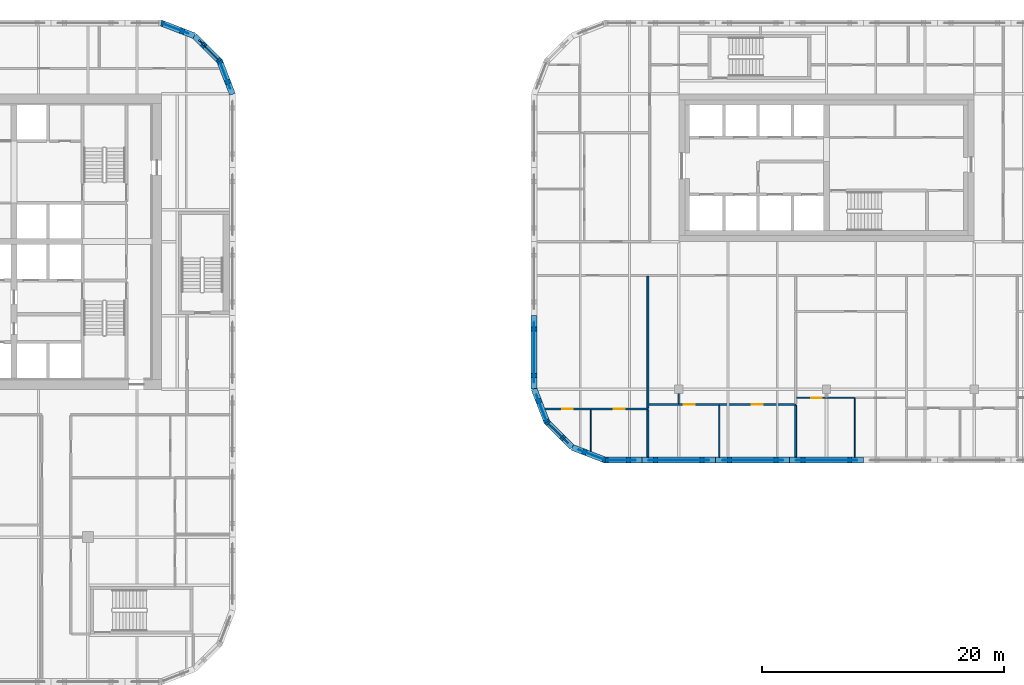
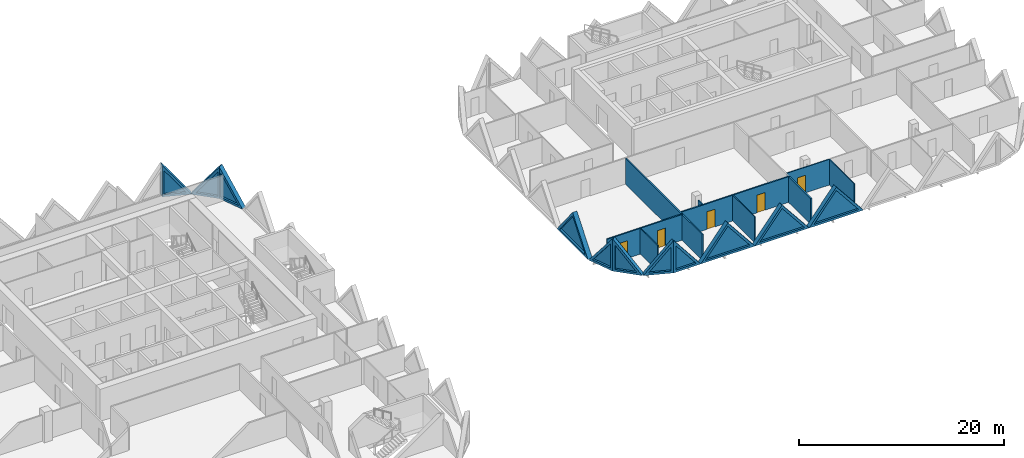
# One storey, part 11 of 19: 21 walls, 11 plates, 5 doors, 16 openings.
"""IFC4 building model written with IfcOpenShell, lengths in metres."""

from ifc_helpers import new_model, si_unit, direction, frame, frame_2d, origin, place, context, subcontext, project, spatial, polyline, rectangle, outline, extrude, faceted_brep, source, transform, mapped, material, layer, layer_set, type_object, element, fill, save


model = new_model("IFC4")

# Units and contexts
model_context = context("Model", 3, precision=1e-05, world=origin(), true_north=direction((0.0, 1.0)))
body_context = subcontext(model_context, "Body", "Model", "MODEL_VIEW")
ifc_project = project(units=[si_unit("LENGTHUNIT", "METRE"), si_unit("AREAUNIT", "SQUARE_METRE"), si_unit("VOLUMEUNIT", "CUBIC_METRE"), si_unit("PLANEANGLEUNIT", "RADIAN"), si_unit("MASSUNIT", "GRAM", prefix="KILO")], contexts=[model_context])

# Site, building, storey
site_placement = place(None, origin())
site = spatial("IfcSite", under=ifc_project, at=site_placement, CompositionType="ELEMENT")
building_placement = place(site_placement, origin())
building = spatial("IfcBuilding", under=site, at=building_placement, Name="Tessera Gate Towers", CompositionType="ELEMENT")
storey_placement = place(building_placement, frame((0.0, 0.0, 68.60009765625)))
storey = spatial("IfcBuildingStorey", under=building, at=storey_placement, Name="L16", CompositionType="ELEMENT", Elevation=68.60009765625)

# Walls
ifc_material_1 = material(Name="Gypsum board on steel studs", Category="steel")
ifc_layer_1 = layer(ifc_material_1, 0.10009765625)
ifc_layer_set_1 = layer_set([ifc_layer_1], Name="PARTITION 100")
wall_type_1 = type_object("IfcWallType", Name="PARTITION 100", PredefinedType="PARTITIONING", material=ifc_layer_set_1)
wall_1_placement = place(storey_placement, frame((100.944091796875, 18.800048828125, 0.0), z_axis=(0.0, 0.0, 1.0), x_axis=(0.0, 1.0, 0.0)))
element("IfcWall", 1, at=wall_1_placement, inside=storey, type_object=wall_type_1, Name="T2-L16-PW-002", PredefinedType="PARTITIONING", context=body_context, shape_type="SweptSolid", body=[
    extrude(rectangle(XDim=4.27392578125, YDim=0.10009765625, at=frame_2d((2.136962890625, 0.0))), origin(), (0.0, 0.0, 1.0), 3.06689453125),
])
wall_2_placement = place(storey_placement, frame((112.14501953125, 18.800048828125, 0.0), z_axis=(0.0, 0.0, 1.0), x_axis=(0.0, 1.0, 0.0)))
element("IfcWall", 2, at=wall_2_placement, inside=storey, type_object=wall_type_1, Name="T2-L16-PW-004", PredefinedType="PARTITIONING", context=body_context, shape_type="SweptSolid", body=[
    extrude(rectangle(XDim=4.89990234375, YDim=0.10009765625, at=frame_2d((2.449951171875, 0.0))), origin(), (0.0, 0.0, 1.0), 3.06689453125),
])
wall_3_placement = place(storey_placement, frame((90.320068359375, 19.291015625, 0.0), z_axis=(0.0, 0.0, 1.0), x_axis=(0.0, 1.0, 0.0)))
element("IfcWall", 3, at=wall_3_placement, inside=storey, type_object=wall_type_1, Name="T2-L16-PW-008", PredefinedType="PARTITIONING", context=body_context, shape_type="SweptSolid", body=[
    extrude(rectangle(XDim=3.407958984375, YDim=0.10009765625, at=frame_2d((1.7041015625, 0.0))), origin(), (0.0, 0.0, 1.0), 3.06689453125),
])

# Wall, opening, door
wall_4_placement = place(storey_placement, frame((112.09423828125, 23.699951171875, 0.0), z_axis=(0.0, 0.0, 1.0), x_axis=(-1.0, 0.0, 0.0)))
wall_4 = element("IfcWall", 4, at=wall_4_placement, inside=storey, type_object=wall_type_1, Name="T2-L16-PW-016", PredefinedType="PARTITIONING", context=body_context, shape_type="SweptSolid", body=[
    extrude(rectangle(XDim=4.768310546875, YDim=0.10009765625, at=frame_2d((2.38427734375, 0.0))), origin(), (0.0, 0.0, 1.0), 3.06689453125),
])
shared_shape_1 = source(origin(), body_context, "Body", "SweptSolid", [
    extrude(rectangle(XDim=0.89990234375, YDim=2.10009765625, at=frame_2d((0.449951171875, 1.050048828125))), frame((0.0, 0.06005859375, 0.0), z_axis=(0.0, -1.0, 0.0), x_axis=(1.0, 0.0, 0.0)), (0.0, 0.0, 1.0), 0.1201171875),
])
opening_1_placement = place(wall_4_placement, frame((2.668212890625, 0.0, 0.0)))
opening_1 = element("IfcOpeningElement", 5, at=opening_1_placement, cuts=wall_4, Name="Opening D190-B07-06", PredefinedType="OPENING", context=body_context, shape_type="MappedRepresentation", body=[
    mapped(shared_shape_1, transform((0.0, 0.0, 0.0), scale=1.0)),
])
ifc_material_2 = material(Name="Timber door leaf in steel frame", Category="steel")
door_type = type_object("IfcDoorType", Name="INTERNAL DOOR 900 NOT RATED", OperationType="NOTDEFINED", PredefinedType="DOOR", material=ifc_material_2)
shared_shape_2 = source(origin(), body_context, "Body", "SweptSolid", [
    extrude(rectangle(XDim=0.89990234375, YDim=2.10009765625, at=frame_2d((0.449951171875, 1.050048828125))), frame((0.0, 0.02490234375, 0.0), z_axis=(0.0, -1.0, 0.0), x_axis=(1.0, 0.0, 0.0)), (0.0, 0.0, 1.0), 0.050048828125),
])
door_1_placement = place(opening_1_placement, origin())
door_1 = element("IfcDoor", 6, at=door_1_placement, inside=storey, type_object=door_type, Name="T2-L16-PD-009", OperationType="SINGLE_SWING_LEFT", OverallHeight=2.10009765625, OverallWidth=0.89990234375, PredefinedType="DOOR", context=body_context, shape_type="MappedRepresentation", body=[
    mapped(shared_shape_2, transform((0.0, 0.0, 0.0), scale=1.0)),
])
fill(opening_1, door_1)

# Walls
wall_5_placement = place(storey_placement, frame((97.60009765625, 24.050048828125, 0.0), z_axis=(0.0, 0.0, 1.0), x_axis=(0.0, -1.0, 0.0)))
element("IfcWall", 7, at=wall_5_placement, inside=storey, type_object=wall_type_1, Name="T2-L16-PW-019", PredefinedType="PARTITIONING", context=body_context, shape_type="SweptSolid", body=[
    extrude(rectangle(XDim=0.824951171875, YDim=0.10009765625, at=frame_2d((0.41259765625, 0.0))), origin(), (0.0, 0.0, 1.0), 3.06689453125),
])
ifc_material_3 = material(Name="Gypsum board on steel studs, mineral wool", Category="steel")
ifc_layer_2 = layer(ifc_material_3, 0.14990234375)
ifc_layer_set_2 = layer_set([ifc_layer_2], Name="TENANCY WALL 150")
wall_type_2 = type_object("IfcWallType", Name="TENANCY WALL 150", PredefinedType="PARTITIONING", material=ifc_layer_set_2)
wall_6_placement = place(storey_placement, frame((95.050048828125, 18.800048828125, 0.0), z_axis=(0.0, 0.0, 1.0), x_axis=(0.0, 1.0, 0.0)))
element("IfcWall", 8, at=wall_6_placement, inside=storey, type_object=wall_type_2, Name="T2-L16-PW-001", PredefinedType="PARTITIONING", context=body_context, shape_type="SweptSolid", body=[
    extrude(rectangle(XDim=3.89892578125, YDim=0.14990234375, at=frame_2d((1.949462890625, 0.0))), origin(), (0.0, 0.0, 1.0), 3.06689453125),
])
wall_7_placement = place(storey_placement, frame((107.25, 18.800048828125, 0.0), z_axis=(0.0, 0.0, 1.0), x_axis=(0.0, 1.0, 0.0)))
element("IfcWall", 9, at=wall_7_placement, inside=storey, type_object=wall_type_2, Name="T2-L16-PW-003", PredefinedType="PARTITIONING", context=body_context, shape_type="SweptSolid", body=[
    extrude(rectangle(XDim=4.27392578125, YDim=0.14990234375, at=frame_2d((2.136962890625, 0.0))), origin(), (0.0, 0.0, 1.0), 3.06689453125),
])

# Wall, openings, doors
wall_8_placement = place(storey_placement, frame((95.050048828125, 22.77490234375, 0.0), z_axis=(0.0, 0.0, 1.0), x_axis=(-1.0, 0.0, 0.0)))
wall_8 = element("IfcWall", 10, at=wall_8_placement, inside=storey, type_object=wall_type_2, Name="T2-L16-PW-009", PredefinedType="PARTITIONING", context=body_context, shape_type="SweptSolid", body=[
    extrude(rectangle(XDim=8.4873046875, YDim=0.14990234375, at=frame_2d((4.24365234375, 0.0))), origin(), (0.0, 0.0, 1.0), 3.06689453125),
])
shared_shape_3 = source(origin(), body_context, "Body", "SweptSolid", [
    extrude(rectangle(XDim=0.89990234375, YDim=2.10009765625, at=frame_2d((0.449951171875, 1.050048828125))), frame((0.0, 0.0849609375, 0.0), z_axis=(0.0, -1.0, 0.0), x_axis=(1.0, 0.0, 0.0)), (0.0, 0.0, 1.0), 0.169921875),
])
opening_2_placement = place(wall_8_placement, frame((6.187255859375, 0.0, 0.0)))
opening_2 = element("IfcOpeningElement", 11, at=opening_2_placement, cuts=wall_8, Name="Opening D190-B07-01", PredefinedType="OPENING", context=body_context, shape_type="MappedRepresentation", body=[
    mapped(shared_shape_3, transform((0.0, 0.0, 0.0), scale=1.0)),
])
opening_3_placement = place(wall_8_placement, frame((1.9296875, 0.0, 0.0)))
opening_3 = element("IfcOpeningElement", 12, at=opening_3_placement, cuts=wall_8, Name="Opening D190-B07-04", PredefinedType="OPENING", context=body_context, shape_type="MappedRepresentation", body=[
    mapped(shared_shape_3, transform((0.0, 0.0, 0.0), scale=1.0)),
])
door_2_placement = place(opening_2_placement, origin())
door_2 = element("IfcDoor", 13, at=door_2_placement, inside=storey, type_object=door_type, Name="T2-L16-PD-001", OperationType="SINGLE_SWING_RIGHT", OverallHeight=2.10009765625, OverallWidth=0.89990234375, PredefinedType="DOOR", context=body_context, shape_type="MappedRepresentation", body=[
    mapped(shared_shape_2, transform((0.0, 0.0, 0.0), scale=1.0)),
])
fill(opening_2, door_2)
door_3_placement = place(opening_3_placement, origin())
door_3 = element("IfcDoor", 14, at=door_3_placement, inside=storey, type_object=door_type, Name="T2-L16-PD-007", OperationType="SINGLE_SWING_RIGHT", OverallHeight=2.10009765625, OverallWidth=0.89990234375, PredefinedType="DOOR", context=body_context, shape_type="MappedRepresentation", body=[
    mapped(shared_shape_2, transform((0.0, 0.0, 0.0), scale=1.0)),
])
fill(opening_3, door_3)

# Wall
wall_9_placement = place(storey_placement, frame((95.050048828125, 22.85107421875, 0.0), z_axis=(0.0, 0.0, 1.0), x_axis=(0.0, 1.0, 0.0)))
element("IfcWall", 15, at=wall_9_placement, inside=storey, type_object=wall_type_2, Name="T2-L16-PW-010", PredefinedType="PARTITIONING", context=body_context, shape_type="SweptSolid", body=[
    extrude(rectangle(XDim=10.873046875, YDim=0.14990234375, at=frame_2d((5.4365234375, 0.0))), origin(), (0.0, 0.0, 1.0), 3.06689453125),
])

# Wall, openings, doors
wall_10_placement = place(storey_placement, frame((107.25, 23.14990234375, 0.0), z_axis=(0.0, 0.0, 1.0), x_axis=(-1.0, 0.0, 0.0)))
wall_10 = element("IfcWall", 16, at=wall_10_placement, inside=storey, type_object=wall_type_2, Name="T2-L16-PW-014", PredefinedType="PARTITIONING", context=body_context, shape_type="SweptSolid", body=[
    extrude(rectangle(XDim=12.1240234375, YDim=0.14990234375, at=frame_2d((6.06201171875, 0.0))), origin(), (0.0, 0.0, 1.0), 3.06689453125),
])
opening_4_placement = place(wall_10_placement, frame((8.323974609375, 0.0, 0.0)))
opening_4 = element("IfcOpeningElement", 17, at=opening_4_placement, cuts=wall_10, Name="Opening D190-B07-07", PredefinedType="OPENING", context=body_context, shape_type="MappedRepresentation", body=[
    mapped(shared_shape_3, transform((0.0, 0.0, 0.0), scale=1.0)),
])
opening_5_placement = place(wall_10_placement, frame((2.706298828125, 0.0, 0.0)))
opening_5 = element("IfcOpeningElement", 18, at=opening_5_placement, cuts=wall_10, Name="Opening D190-B07-08", PredefinedType="OPENING", context=body_context, shape_type="MappedRepresentation", body=[
    mapped(shared_shape_3, transform((0.0, 0.0, 0.0), scale=1.0)),
])
door_4_placement = place(opening_4_placement, origin())
door_4 = element("IfcDoor", 19, at=door_4_placement, inside=storey, type_object=door_type, Name="T2-L16-PD-011", OperationType="SINGLE_SWING_RIGHT", OverallHeight=2.10009765625, OverallWidth=0.89990234375, PredefinedType="DOOR", context=body_context, shape_type="MappedRepresentation", body=[
    mapped(shared_shape_2, transform((0.0, 0.0, 0.0), scale=1.0)),
])
fill(opening_4, door_4)
door_5_placement = place(opening_5_placement, origin())
door_5 = element("IfcDoor", 20, at=door_5_placement, inside=storey, type_object=door_type, Name="T2-L16-PD-013", OperationType="SINGLE_SWING_RIGHT", OverallHeight=2.10009765625, OverallWidth=0.89990234375, PredefinedType="DOOR", context=body_context, shape_type="MappedRepresentation", body=[
    mapped(shared_shape_2, transform((0.0, 0.0, 0.0), scale=1.0)),
])
fill(opening_5, door_5)

# Wall, opening, plate
ifc_material_4 = material(Name="Precast concrete C60/75 white", Category="concrete")
ifc_layer_3 = layer(ifc_material_4, 0.5)
ifc_layer_set_3 = layer_set([ifc_layer_3], Name="TS3 corner tessera")
wall_type_3 = type_object("IfcWallType", Name="TS3 corner tessera", PredefinedType="SOLIDWALL", material=ifc_layer_set_3)
shared_shape_4 = source(origin(), body_context, "Body", "Brep", [
    faceted_brep([(3.050048828125, -0.25, 0.0), (0.046630859375, -0.25, 3.7998046875), (0.0, -0.25, 3.73974609375), (0.0, -0.25, 0.0), (0.09326171875, 0.25, 3.740966796875), (3.050048828125, 0.25, 0.0), (0.09326171875, 0.25, 0.0), (0.046630859375, 0.0, 3.7998046875)], [[[0, 1, 2, 3]], [[4, 5, 6]], [[5, 4, 7, 1, 0]], [[2, 1, 7]], [[6, 5, 0, 3]], [[6, 3, 2, 7, 4]]]),
])
wall_11_placement = place(storey_placement, frame((91.5, 18.550048828125, 0.0), z_axis=(0.0, 0.0, 1.0), x_axis=(1.0, 0.0, 0.0)))
wall_11 = element("IfcWall", 21, at=wall_11_placement, inside=storey, type_object=wall_type_3, Name="Precast corner tessera T2 TS3-0225", PredefinedType="SOLIDWALL", context=body_context, shape_type="MappedRepresentation", body=[
    mapped(shared_shape_4, transform((0.0, 0.0, 0.0), scale=1.0)),
])
shared_shape_5 = source(origin(), body_context, "Body", "SweptSolid", [
    extrude(outline(polyline([(2.533935546875, 0.25), (0.24658203125, 3.143798828125), (0.24658203125, 0.25), (2.533935546875, 0.25)])), frame((0.0, 0.260009765625, 0.0), z_axis=(0.0, -1.0, 0.0), x_axis=(1.0, 0.0, 0.0)), (0.0, 0.0, 1.0), 0.52001953125),
])
opening_6_placement = place(wall_11_placement, origin())
opening_6 = element("IfcOpeningElement", 22, at=opening_6_placement, cuts=wall_11, Name="Opening T2-PL1-0136", PredefinedType="OPENING", context=body_context, shape_type="MappedRepresentation", body=[
    mapped(shared_shape_5, transform((0.0, 0.0, 0.0), scale=1.0)),
])
ifc_material_5 = material(Name="Low-e laminated glass", Category="glass")
ifc_layer_4 = layer(ifc_material_5, 0.06005859375)
ifc_layer_set_4 = layer_set([ifc_layer_4], Name="PL1 triangular pane")
plate_type = type_object("IfcPlateType", Name="PL1 triangular pane", PredefinedType="SHEET", material=ifc_layer_set_4)
shared_shape_6 = source(origin(), body_context, "Body", "SweptSolid", [
    extrude(outline(polyline([(2.533935546875, 0.25), (0.24658203125, 3.143798828125), (0.24658203125, 0.25), (2.533935546875, 0.25)])), frame((0.0, 0.030029296875, 0.0), z_axis=(0.0, -1.0, 0.0), x_axis=(1.0, 0.0, 0.0)), (0.0, 0.0, 1.0), 0.06005859375),
])
plate_1_placement = place(opening_6_placement, origin())
plate_1 = element("IfcPlate", 23, at=plate_1_placement, inside=storey, type_object=plate_type, Name="Glass pane T2 PL1-0136", PredefinedType="SHEET", context=body_context, shape_type="MappedRepresentation", body=[
    mapped(shared_shape_6, transform((0.0, 0.0, 0.0), scale=1.0)),
])
fill(opening_6, plate_1)

shared_shape_7 = source(origin(), body_context, "Body", "Brep", [
    faceted_brep([(2.9970703125, -0.25, 3.74072265625), (2.950439453125, -0.25, 3.7998046875), (0.0, -0.25, 0.0), (2.9970703125, -0.25, 0.0), (0.052978515625, 0.25, 0.068115234375), (2.904052734375, 0.25, 3.739990234375), (2.904052734375, 0.25, 0.0), (0.052978515625, 0.25, 0.0), (2.950439453125, 0.00048828125, 3.7998046875), (0.0, 0.0, 0.0)], [[[0, 1, 2, 3]], [[4, 5, 6, 7]], [[8, 1, 0]], [[5, 4, 9, 2, 1, 8]], [[7, 6, 3, 2, 9]], [[7, 9, 4]], [[3, 6, 5, 8, 0]]]),
])
wall_12_placement = place(storey_placement, frame((88.793701171875, 19.61181640625, 0.0), z_axis=(0.0, 0.0, 1.0), x_axis=(0.933000876937, -0.359874094142, 0.0)))
wall_12 = element("IfcWall", 24, at=wall_12_placement, inside=storey, type_object=wall_type_3, Name="Precast corner tessera T2 TS3-0226", PredefinedType="SOLIDWALL", context=body_context, shape_type="MappedRepresentation", body=[
    mapped(shared_shape_7, transform((0.0, 0.0, 0.0), scale=1.0)),
])
shared_shape_8 = source(origin(), body_context, "Body", "SweptSolid", [
    extrude(outline(polyline([(2.75048828125, 3.134765625), (0.5107421875, 0.25), (2.75048828125, 0.25), (2.75048828125, 3.134765625)])), frame((0.0, 0.260009765625, 0.0), z_axis=(0.0, -1.0, 0.0), x_axis=(1.0, 0.0, 0.0)), (0.0, 0.0, 1.0), 0.52001953125),
])
opening_7_placement = place(wall_12_placement, origin())
opening_7 = element("IfcOpeningElement", 25, at=opening_7_placement, cuts=wall_12, Name="Opening T2-PL1-0137", PredefinedType="OPENING", context=body_context, shape_type="MappedRepresentation", body=[
    mapped(shared_shape_8, transform((0.0, 0.0, 0.0), scale=1.0)),
])
shared_shape_9 = source(origin(), body_context, "Body", "SweptSolid", [
    extrude(outline(polyline([(2.75048828125, 3.134765625), (0.5107421875, 0.25), (2.75048828125, 0.25), (2.75048828125, 3.134765625)])), frame((0.0, 0.030029296875, 0.0), z_axis=(0.0, -1.0, 0.0), x_axis=(1.0, 0.0, 0.0)), (0.0, 0.0, 1.0), 0.06005859375),
])
plate_2_placement = place(opening_7_placement, origin())
plate_2 = element("IfcPlate", 26, at=plate_2_placement, inside=storey, type_object=plate_type, Name="Glass pane T2 PL1-0137", PredefinedType="SHEET", context=body_context, shape_type="MappedRepresentation", body=[
    mapped(shared_shape_9, transform((0.0, 0.0, 0.0), scale=1.0)),
])
fill(opening_7, plate_2)

ifc_material_6 = material(Name="Precast concrete C60/75 white", Category="concrete")
ifc_layer_5 = layer(ifc_material_6, 0.5)
ifc_layer_set_5 = layer_set([ifc_layer_5], Name="TS2 half tessera")
wall_type_4 = type_object("IfcWallType", Name="TS2 half tessera", PredefinedType="SOLIDWALL", material=ifc_layer_set_5)
shared_shape_10 = source(origin(), body_context, "Body", "Brep", [
    faceted_brep([(6.099853515625, -0.25, 0.000244140625), (3.050048828125, -0.25, 3.7998046875), (0.0, -0.25, 0.0), (6.099853515625, -0.25, 0.0), (0.0, 0.25, 0.0), (3.050048828125, 0.25, 3.7998046875), (6.099853515625, 0.25, 0.000244140625), (6.099853515625, 0.25, 0.0)], [[[0, 1, 2, 3]], [[4, 5, 6, 7]], [[6, 5, 1, 0]], [[5, 4, 2, 1]], [[4, 7, 3, 2]], [[3, 7, 6, 0]]]),
])
wall_13_placement = place(storey_placement, frame((94.550048828125, 18.550048828125, 0.0), z_axis=(0.0, 0.0, 1.0), x_axis=(1.0, 0.0, 0.0)))
wall_13 = element("IfcWall", 27, at=wall_13_placement, inside=storey, type_object=wall_type_4, Name="Precast half tessera T2 TS2-0072", PredefinedType="SOLIDWALL", context=body_context, shape_type="MappedRepresentation", body=[
    mapped(shared_shape_10, transform((0.0, 0.0, 0.0), scale=1.0)),
])
shared_shape_11 = source(origin(), body_context, "Body", "SweptSolid", [
    extrude(outline(polyline([(5.578857421875, 0.25), (3.050048828125, 3.400390625), (0.521240234375, 0.25), (5.578857421875, 0.25)])), frame((0.0, 0.260009765625, 0.0), z_axis=(0.0, -1.0, 0.0), x_axis=(1.0, 0.0, 0.0)), (0.0, 0.0, 1.0), 0.52001953125),
])
opening_8_placement = place(wall_13_placement, origin())
opening_8 = element("IfcOpeningElement", 28, at=opening_8_placement, cuts=wall_13, Name="Opening T2-PL1-0138", PredefinedType="OPENING", context=body_context, shape_type="MappedRepresentation", body=[
    mapped(shared_shape_11, transform((0.0, 0.0, 0.0), scale=1.0)),
])
shared_shape_12 = source(origin(), body_context, "Body", "SweptSolid", [
    extrude(outline(polyline([(5.578857421875, 0.25), (3.050048828125, 3.400390625), (0.521240234375, 0.25), (5.578857421875, 0.25)])), frame((0.0, 0.030029296875, 0.0), z_axis=(0.0, -1.0, 0.0), x_axis=(1.0, 0.0, 0.0)), (0.0, 0.0, 1.0), 0.06005859375),
])
plate_3_placement = place(opening_8_placement, origin())
plate_3 = element("IfcPlate", 29, at=plate_3_placement, inside=storey, type_object=plate_type, Name="Glass pane T2 PL1-0138", PredefinedType="SHEET", context=body_context, shape_type="MappedRepresentation", body=[
    mapped(shared_shape_12, transform((0.0, 0.0, 0.0), scale=1.0)),
])
fill(opening_8, plate_3)

shared_shape_13 = source(origin(), body_context, "Body", "SweptSolid", [
    extrude(outline(polyline([(6.10009765625, 0.0), (3.050048828125, 3.7998046875), (0.0, 0.0), (6.10009765625, 0.0)])), frame((0.0, 0.25, 0.0), z_axis=(0.0, -1.0, 0.0), x_axis=(1.0, 0.0, 0.0)), (0.0, 0.0, 1.0), 0.5),
])
wall_14_placement = place(storey_placement, frame((100.64990234375, 18.550048828125, 0.0), z_axis=(0.0, 0.0, 1.0), x_axis=(1.0, 0.0, 0.0)))
wall_14 = element("IfcWall", 30, at=wall_14_placement, inside=storey, type_object=wall_type_4, Name="Precast half tessera T2 TS2-0073", PredefinedType="SOLIDWALL", context=body_context, shape_type="MappedRepresentation", body=[
    mapped(shared_shape_13, transform((0.0, 0.0, 0.0), scale=1.0)),
])
opening_9_placement = place(wall_14_placement, origin())
opening_9 = element("IfcOpeningElement", 31, at=opening_9_placement, cuts=wall_14, Name="Opening T2-PL1-0139", PredefinedType="OPENING", context=body_context, shape_type="MappedRepresentation", body=[
    mapped(shared_shape_11, transform((0.0, 0.0, 0.0), scale=1.0)),
])
plate_4_placement = place(opening_9_placement, origin())
plate_4 = element("IfcPlate", 32, at=plate_4_placement, inside=storey, type_object=plate_type, Name="Glass pane T2 PL1-0139", PredefinedType="SHEET", context=body_context, shape_type="MappedRepresentation", body=[
    mapped(shared_shape_12, transform((0.0, 0.0, 0.0), scale=1.0)),
])
fill(opening_9, plate_4)

wall_15_placement = place(storey_placement, frame((106.75, 18.550048828125, 0.0), z_axis=(0.0, 0.0, 1.0), x_axis=(1.0, 0.0, 0.0)))
wall_15 = element("IfcWall", 33, at=wall_15_placement, inside=storey, type_object=wall_type_4, Name="Precast half tessera T2 TS2-0074", PredefinedType="SOLIDWALL", context=body_context, shape_type="MappedRepresentation", body=[
    mapped(shared_shape_13, transform((0.0, 0.0, 0.0), scale=1.0)),
])
opening_10_placement = place(wall_15_placement, origin())
opening_10 = element("IfcOpeningElement", 34, at=opening_10_placement, cuts=wall_15, Name="Opening T2-PL1-0140", PredefinedType="OPENING", context=body_context, shape_type="MappedRepresentation", body=[
    mapped(shared_shape_11, transform((0.0, 0.0, 0.0), scale=1.0)),
])
plate_5_placement = place(opening_10_placement, origin())
plate_5 = element("IfcPlate", 35, at=plate_5_placement, inside=storey, type_object=plate_type, Name="Glass pane T2 PL1-0140", PredefinedType="SHEET", context=body_context, shape_type="MappedRepresentation", body=[
    mapped(shared_shape_12, transform((0.0, 0.0, 0.0), scale=1.0)),
])
fill(opening_10, plate_5)

shared_shape_14 = source(origin(), body_context, "Body", "Brep", [
    faceted_brep([(6.053466796875, -0.25, 0.0), (3.050048828125, -0.25, 3.7998046875), (0.0, -0.25, 0.0), (0.0, 0.25, 0.0), (3.050048828125, 0.25, 3.7998046875), (6.0068359375, 0.25, 0.058837890625), (6.0068359375, 0.25, 0.0), (6.053466796875, 0.0, 0.0)], [[[0, 1, 2]], [[3, 4, 5, 6]], [[5, 4, 1, 0, 7]], [[4, 3, 2, 1]], [[3, 6, 7, 0, 2]], [[7, 6, 5]]]),
])
wall_16_placement = place(storey_placement, frame((85.64990234375, 30.5, 0.0), z_axis=(0.0, 0.0, 1.0), x_axis=(0.0, -1.0, 0.0)))
wall_16 = element("IfcWall", 36, at=wall_16_placement, inside=storey, type_object=wall_type_4, Name="Precast half tessera T2 TS2-0089", PredefinedType="SOLIDWALL", context=body_context, shape_type="MappedRepresentation", body=[
    mapped(shared_shape_14, transform((0.0, 0.0, 0.0), scale=1.0)),
])
shared_shape_15 = source(origin(), body_context, "Body", "SweptSolid", [
    extrude(outline(polyline([(5.537109375, 0.25), (3.048583984375, 3.398681640625), (0.521240234375, 0.25), (5.537109375, 0.25)])), frame((0.0, 0.260009765625, 0.0), z_axis=(0.0, -1.0, 0.0), x_axis=(1.0, 0.0, 0.0)), (0.0, 0.0, 1.0), 0.52001953125),
])
opening_11_placement = place(wall_16_placement, origin())
opening_11 = element("IfcOpeningElement", 37, at=opening_11_placement, cuts=wall_16, Name="Opening T2-PL1-0167", PredefinedType="OPENING", context=body_context, shape_type="MappedRepresentation", body=[
    mapped(shared_shape_15, transform((0.0, 0.0, 0.0), scale=1.0)),
])
shared_shape_16 = source(origin(), body_context, "Body", "SweptSolid", [
    extrude(outline(polyline([(5.537109375, 0.25), (3.048583984375, 3.398681640625), (0.521240234375, 0.25), (5.537109375, 0.25)])), frame((0.0, 0.030029296875, 0.0), z_axis=(0.0, -1.0, 0.0), x_axis=(1.0, 0.0, 0.0)), (0.0, 0.0, 1.0), 0.06005859375),
])
plate_6_placement = place(opening_11_placement, origin())
plate_6 = element("IfcPlate", 38, at=plate_6_placement, inside=storey, type_object=plate_type, Name="Glass pane T2 PL1-0167", PredefinedType="SHEET", context=body_context, shape_type="MappedRepresentation", body=[
    mapped(shared_shape_16, transform((0.0, 0.0, 0.0), scale=1.0)),
])
fill(opening_11, plate_6)

shared_shape_17 = source(origin(), body_context, "Body", "Brep", [
    faceted_brep([(3.00341796875, -0.25, 3.7314453125), (2.950439453125, -0.25, 3.7998046875), (0.0, -0.25, 0.0), (3.00341796875, -0.25, 0.0), (0.046630859375, 0.25, 0.06005859375), (2.897705078125, 0.25, 3.731689453125), (2.897705078125, 0.25, 0.0), (0.046630859375, 0.25, 0.0), (2.950439453125, 0.00048828125, 3.7998046875), (0.0, 0.0, 0.0)], [[[0, 1, 2, 3]], [[4, 5, 6, 7]], [[8, 1, 0]], [[5, 4, 9, 2, 1, 8]], [[7, 6, 3, 2, 9]], [[7, 9, 4]], [[3, 6, 5, 8, 0]]]),
])
wall_17_placement = place(storey_placement, frame((60.75, 48.75341796875, 0.0), z_axis=(0.0, 0.0, 1.0), x_axis=(-0.35992665181, 0.932980602862, 0.0)))
wall_17 = element("IfcWall", 39, at=wall_17_placement, inside=storey, type_object=wall_type_3, Name="Precast corner tessera T1 TS3-0343", PredefinedType="SOLIDWALL", context=body_context, shape_type="MappedRepresentation", body=[
    mapped(shared_shape_17, transform((0.0, 0.0, 0.0), scale=1.0)),
])
opening_12_placement = place(wall_17_placement, origin())
opening_12 = element("IfcOpeningElement", 40, at=opening_12_placement, cuts=wall_17, Name="Opening T1-PL1-0204", PredefinedType="OPENING", context=body_context, shape_type="MappedRepresentation", body=[
    mapped(shared_shape_8, transform((0.0, 0.0, 0.0), scale=1.0)),
])
plate_7_placement = place(opening_12_placement, origin())
plate_7 = element("IfcPlate", 41, at=plate_7_placement, inside=storey, type_object=plate_type, Name="Glass pane T1 PL1-0204", PredefinedType="SHEET", context=body_context, shape_type="MappedRepresentation", body=[
    mapped(shared_shape_9, transform((0.0, 0.0, 0.0), scale=1.0)),
])
fill(opening_12, plate_7)

wall_18_placement = place(storey_placement, frame((85.64990234375, 24.446533203125, 0.0), z_axis=(0.0, 0.0, 1.0), x_axis=(0.35992665181, -0.932980602862, 0.0)))
wall_18 = element("IfcWall", 42, at=wall_18_placement, inside=storey, type_object=wall_type_3, Name="Precast corner tessera T2 TS3-0239", PredefinedType="SOLIDWALL", context=body_context, shape_type="MappedRepresentation", body=[
    mapped(shared_shape_17, transform((0.0, 0.0, 0.0), scale=1.0)),
])
opening_13_placement = place(wall_18_placement, origin())
opening_13 = element("IfcOpeningElement", 43, at=opening_13_placement, cuts=wall_18, Name="Opening T2-PL1-0168", PredefinedType="OPENING", context=body_context, shape_type="MappedRepresentation", body=[
    mapped(shared_shape_8, transform((0.0, 0.0, 0.0), scale=1.0)),
])
plate_8_placement = place(opening_13_placement, origin())
plate_8 = element("IfcPlate", 44, at=plate_8_placement, inside=storey, type_object=plate_type, Name="Glass pane T2 PL1-0168", PredefinedType="SHEET", context=body_context, shape_type="MappedRepresentation", body=[
    mapped(shared_shape_9, transform((0.0, 0.0, 0.0), scale=1.0)),
])
fill(opening_13, plate_8)

shared_shape_18 = source(origin(), body_context, "Body", "Brep", [
    faceted_brep([(2.9970703125, -0.25, 0.0), (0.052978515625, -0.25, 3.7998046875), (0.0, -0.25, 3.731689453125), (0.0, -0.25, 0.0), (0.10595703125, 0.25, 3.7314453125), (2.944091796875, 0.25, 0.068115234375), (2.944091796875, 0.25, 0.0), (0.10595703125, 0.25, 0.0), (0.052978515625, 0.0, 3.7998046875), (2.9970703125, 0.000244140625, 0.0)], [[[0, 1, 2, 3]], [[4, 5, 6, 7]], [[5, 4, 8, 1, 0, 9]], [[2, 1, 8]], [[7, 6, 9, 0, 3]], [[7, 3, 2, 8, 4]], [[9, 6, 5]]]),
])
wall_19_placement = place(storey_placement, frame((59.7255859375, 51.46875, 0.0), z_axis=(0.0, 0.0, 1.0), x_axis=(-0.707106781187, 0.707106781187, 0.0)))
wall_19 = element("IfcWall", 45, at=wall_19_placement, inside=storey, type_object=wall_type_3, Name="Precast corner tessera T1 TS3-0344", PredefinedType="SOLIDWALL", context=body_context, shape_type="MappedRepresentation", body=[
    mapped(shared_shape_18, transform((0.0, 0.0, 0.0), scale=1.0)),
])
shared_shape_19 = source(origin(), body_context, "Body", "SweptSolid", [
    extrude(outline(polyline([(2.487060546875, 0.25), (0.2529296875, 3.133544921875), (0.2529296875, 0.25), (2.487060546875, 0.25)])), frame((0.0, 0.260009765625, 0.0), z_axis=(0.0, -1.0, 0.0), x_axis=(1.0, 0.0, 0.0)), (0.0, 0.0, 1.0), 0.52001953125),
])
opening_14_placement = place(wall_19_placement, origin())
opening_14 = element("IfcOpeningElement", 46, at=opening_14_placement, cuts=wall_19, Name="Opening T1-PL1-0205", PredefinedType="OPENING", context=body_context, shape_type="MappedRepresentation", body=[
    mapped(shared_shape_19, transform((0.0, 0.0, 0.0), scale=1.0)),
])
shared_shape_20 = source(origin(), body_context, "Body", "SweptSolid", [
    extrude(outline(polyline([(2.487060546875, 0.25), (0.2529296875, 3.133544921875), (0.2529296875, 0.25), (2.487060546875, 0.25)])), frame((0.0, 0.030029296875, 0.0), z_axis=(0.0, -1.0, 0.0), x_axis=(1.0, 0.0, 0.0)), (0.0, 0.0, 1.0), 0.06005859375),
])
plate_9_placement = place(opening_14_placement, origin())
plate_9 = element("IfcPlate", 47, at=plate_9_placement, inside=storey, type_object=plate_type, Name="Glass pane T1 PL1-0205", PredefinedType="SHEET", context=body_context, shape_type="MappedRepresentation", body=[
    mapped(shared_shape_20, transform((0.0, 0.0, 0.0), scale=1.0)),
])
fill(opening_14, plate_9)

shared_shape_21 = source(origin(), body_context, "Body", "Brep", [
    faceted_brep([(2.9970703125, -0.25, 3.74072265625), (2.950439453125, -0.25, 3.7998046875), (0.0, -0.25, 0.0), (2.9970703125, -0.25, 0.0), (0.052978515625, 0.25, 0.068115234375), (2.904052734375, 0.25, 3.739990234375), (2.904052734375, 0.25, 0.0), (0.052978515625, 0.25, 0.0), (2.950439453125, 0.00048828125, 3.7998046875), (0.0, 0.0, 0.0)], [[[0, 1, 2, 3]], [[4, 5, 6, 7]], [[8, 1, 0]], [[5, 4, 9, 2, 1, 8]], [[7, 6, 3, 2, 9]], [[7, 9, 4]], [[3, 6, 5, 8, 0]]]),
])
wall_20_placement = place(storey_placement, frame((57.606201171875, 53.588134765625, 0.0), z_axis=(0.0, 0.0, 1.0), x_axis=(-0.932990326376, 0.359901446078, 0.0)))
wall_20 = element("IfcWall", 48, at=wall_20_placement, inside=storey, type_object=wall_type_3, Name="Precast corner tessera T1 TS3-0345", PredefinedType="SOLIDWALL", context=body_context, shape_type="MappedRepresentation", body=[
    mapped(shared_shape_21, transform((0.0, 0.0, 0.0), scale=1.0)),
])
opening_15_placement = place(wall_20_placement, origin())
opening_15 = element("IfcOpeningElement", 49, at=opening_15_placement, cuts=wall_20, Name="Opening T1-PL1-0206", PredefinedType="OPENING", context=body_context, shape_type="MappedRepresentation", body=[
    mapped(shared_shape_8, transform((0.0, 0.0, 0.0), scale=1.0)),
])
plate_10_placement = place(opening_15_placement, origin())
plate_10 = element("IfcPlate", 50, at=plate_10_placement, inside=storey, type_object=plate_type, Name="Glass pane T1 PL1-0206", PredefinedType="SHEET", context=body_context, shape_type="MappedRepresentation", body=[
    mapped(shared_shape_9, transform((0.0, 0.0, 0.0), scale=1.0)),
])
fill(opening_15, plate_10)

shared_shape_22 = source(origin(), body_context, "Body", "Brep", [
    faceted_brep([(2.9970703125, -0.25, 0.0), (0.052978515625, -0.25, 3.7998046875), (0.0, -0.25, 3.731689453125), (0.0, -0.25, 0.0), (0.10595703125, 0.25, 3.7314453125), (2.944091796875, 0.25, 0.068115234375), (2.944091796875, 0.25, 0.0), (0.10595703125, 0.25, 0.0), (0.052978515625, 0.0, 3.7998046875), (2.9970703125, 0.000244140625, 0.0)], [[[0, 1, 2, 3]], [[4, 5, 6, 7]], [[5, 4, 8, 1, 0, 9]], [[2, 1, 8]], [[7, 6, 9, 0, 3]], [[7, 3, 2, 8, 4]], [[9, 6, 5]]]),
])
wall_21_placement = place(storey_placement, frame((86.674560546875, 21.731201171875, 0.0), z_axis=(0.0, 0.0, 1.0), x_axis=(0.707106781187, -0.707106781187, 0.0)))
wall_21 = element("IfcWall", 51, at=wall_21_placement, inside=storey, type_object=wall_type_3, Name="Precast corner tessera T2 TS3-0240", PredefinedType="SOLIDWALL", context=body_context, shape_type="MappedRepresentation", body=[
    mapped(shared_shape_22, transform((0.0, 0.0, 0.0), scale=1.0)),
])
opening_16_placement = place(wall_21_placement, origin())
opening_16 = element("IfcOpeningElement", 52, at=opening_16_placement, cuts=wall_21, Name="Opening T2-PL1-0169", PredefinedType="OPENING", context=body_context, shape_type="MappedRepresentation", body=[
    mapped(shared_shape_19, transform((0.0, 0.0, 0.0), scale=1.0)),
])
plate_11_placement = place(opening_16_placement, origin())
plate_11 = element("IfcPlate", 53, at=plate_11_placement, inside=storey, type_object=plate_type, Name="Glass pane T2 PL1-0169", PredefinedType="SHEET", context=body_context, shape_type="MappedRepresentation", body=[
    mapped(shared_shape_20, transform((0.0, 0.0, 0.0), scale=1.0)),
])
fill(opening_16, plate_11)

save(model, "model.ifc")
